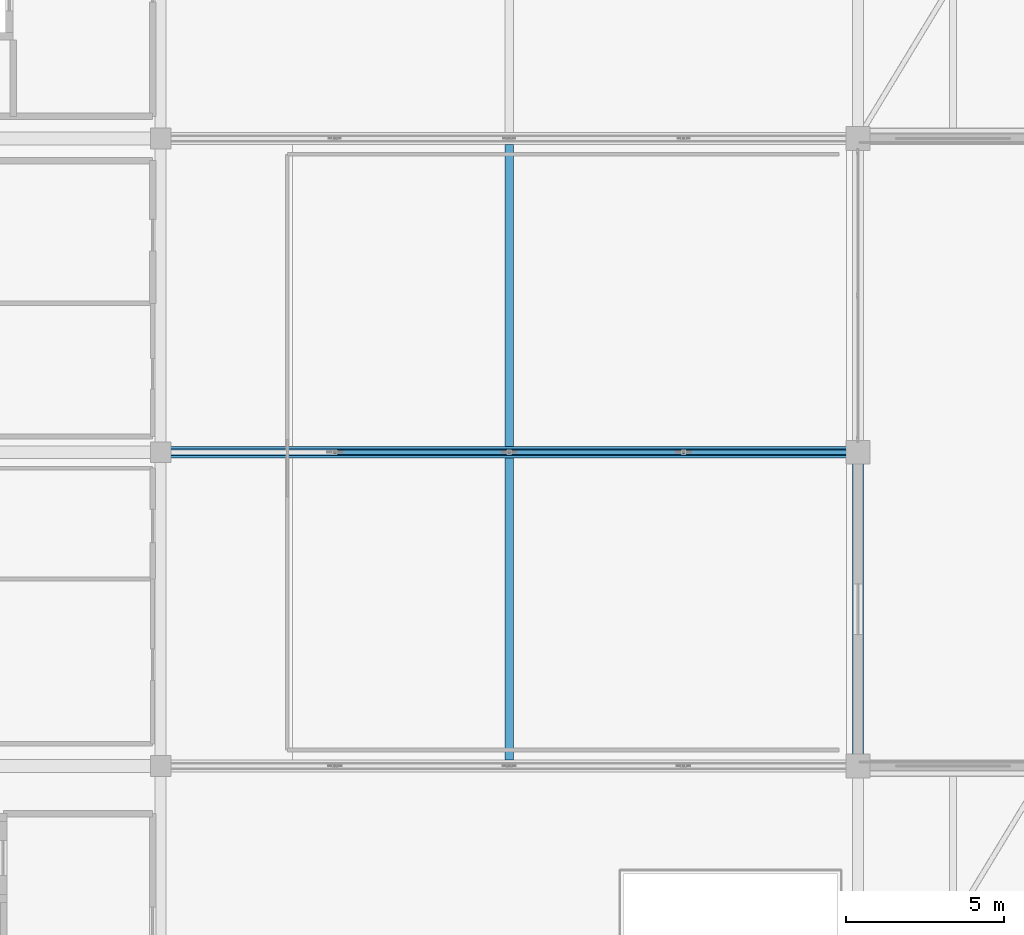
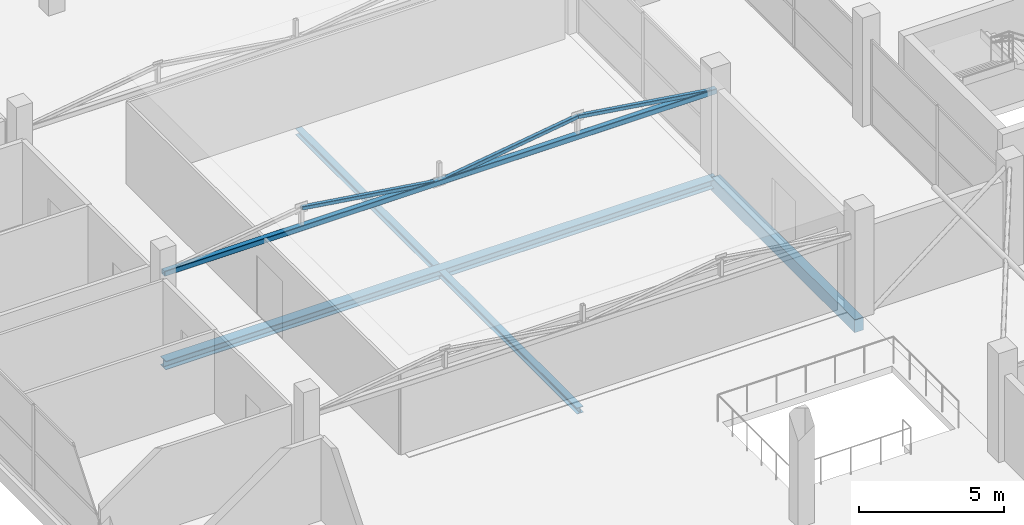
# One storey, part 23 of 69: 4 beams, 4 members.
"""IFC4 building model written with IfcOpenShell, lengths in metres."""

from ifc_helpers import new_model, si_unit, direction, frame, origin, origin_2d, place, context, subcontext, project, spatial, rectangle, hollow_rectangle, i_section, extrude, material, material_profile, profile_set, type_object, element, save


model = new_model("IFC4")

# Units and contexts
model_context = context("Model", 3, precision=1e-05, world=origin(), true_north=direction((0.0, 1.0)))
body_context = subcontext(model_context, "Body", "Model", "MODEL_VIEW")
ifc_project = project(units=[si_unit("LENGTHUNIT", "METRE"), si_unit("AREAUNIT", "SQUARE_METRE"), si_unit("VOLUMEUNIT", "CUBIC_METRE"), si_unit("PLANEANGLEUNIT", "RADIAN"), si_unit("MASSUNIT", "GRAM", prefix="KILO")], contexts=[model_context])

# Site, building, storey
site_placement = place(None, origin())
site = spatial("IfcSite", under=ifc_project, at=site_placement, CompositionType="ELEMENT")
building_placement = place(site_placement, origin())
building = spatial("IfcBuilding", under=site, at=building_placement, Name="Sillaruma Civic Art Gallery", CompositionType="ELEMENT")
storey_placement = place(building_placement, frame((0.0, 0.0, 42.330078125)))
storey = spatial("IfcBuildingStorey", under=building, at=storey_placement, Name="L08", CompositionType="ELEMENT", Elevation=42.330078125)

# Beams
ifc_material_1 = material(Name="Structural Steel ASTM A992 Gr.50", Category="steel")
ifc_material_profile_1 = material_profile(ifc_material_1, i_section(OverallWidth=0.256103515625, OverallDepth=0.260009765625, WebThickness=0.0107421875, FlangeThickness=0.017333984375, FilletRadius=0.012939453125, at=origin_2d()), Name="W250x89")
ifc_profile_set_1 = profile_set([ifc_material_profile_1], Name="Structural Steel ASTM A992 Gr.50")
beam_type_1 = type_object("IfcBeamType", Name="BM-JOIST-W250x89", PredefinedType="JOIST", material=ifc_profile_set_1)
for number, where, z_axis, x_axis, name in (
    (1, (81.0, 49.685546875, -0.41015625), (0.0, 1.0, 0.0), (-1.0, 0.0, 0.0), "Long-Span Gallery Joist JS-04 (L07:6-7)"),
    (2, (81.0, 59.58544921875, -0.41015625), (0.0, 1.0, 0.0), (-1.0, 0.0, 0.0), "Long-Span Gallery Joist JS-04 (L07:7-8)"),
):
    element("IfcBeam", number, at=place(storey_placement, frame(where, z_axis=z_axis, x_axis=x_axis)), inside=storey, type_object=beam_type_1, Name=name, PredefinedType="JOIST", context=body_context, shape_type="SweptSolid", body=[
        extrude(i_section(OverallWidth=0.256103515625, OverallDepth=0.260009765625, WebThickness=0.0107421875, FlangeThickness=0.017333984375, FilletRadius=0.012939453125, at=origin_2d()), origin(), (0.0, 0.0, 1.0), 9.529052734375),
    ])
ifc_material_2 = material(Name="Concrete H35 (35 MPa)", Category="concrete")
ifc_material_profile_2 = material_profile(ifc_material_2, rectangle(XDim=0.35009765625, YDim=0.550048828125, at=origin_2d()), Name="RCB350x550")
ifc_profile_set_2 = profile_set([ifc_material_profile_2], Name="Concrete H35 (35 MPa)")
beam_type_2 = type_object("IfcBeamType", Name="BM-SPANDREL-RCB350x550", PredefinedType="SPANDREL", material=ifc_profile_set_2)
beam_1_placement = place(storey_placement, frame((92.0, 49.5, -0.55517578125), z_axis=(0.0, 1.0, 0.0), x_axis=(-1.0, 0.0, 0.0)))
element("IfcBeam", 3, at=beam_1_placement, inside=storey, type_object=beam_type_2, Name="Beam BS-04 (L07:K:6-7)", PredefinedType="SPANDREL", context=body_context, shape_type="SweptSolid", body=[
    extrude(rectangle(XDim=0.35009765625, YDim=0.550048828125, at=origin_2d()), origin(), (0.0, 0.0, 1.0), 9.89990234375),
])
ifc_material_profile_3 = material_profile(ifc_material_1, i_section(OverallWidth=0.37109375, OverallDepth=0.364013671875, WebThickness=0.01318359375, FlangeThickness=0.021728515625, FilletRadius=0.014892578125, at=origin_2d()), Name="W360x162")
ifc_profile_set_3 = profile_set([ifc_material_profile_3], Name="Structural Steel ASTM A992 Gr.50")
beam_type_3 = type_object("IfcBeamType", Name="BM-TRTOP-W360x162", PredefinedType="BEAM", material=ifc_profile_set_3)
beam_2_placement = place(storey_placement, frame((70.0, 59.39990234375, -0.462158203125), z_axis=(1.0, 0.0, 0.0), x_axis=(0.0, 1.0, 0.0)))
element("IfcBeam", 4, at=beam_2_placement, inside=storey, type_object=beam_type_3, Name="Warren Truss Top Chord TR-L07-2", PredefinedType="BEAM", context=body_context, shape_type="SweptSolid", body=[
    extrude(i_section(OverallWidth=0.37109375, OverallDepth=0.364013671875, WebThickness=0.01318359375, FlangeThickness=0.021728515625, FilletRadius=0.014892578125, at=origin_2d()), origin(), (0.0, 0.0, 1.0), 22.0),
])

# Members
ifc_material_3 = material(Name="Structural Steel ASTM A500 Gr.C", Category="steel")
ifc_material_profile_4 = material_profile(ifc_material_3, hollow_rectangle(XDim=0.14990234375, YDim=0.14990234375, WallThickness=0.010009765625, InnerFilletRadius=0.010009765625, OuterFilletRadius=0.02001953125, at=origin_2d()), Name="HSS150x150x10")
ifc_profile_set_4 = profile_set([ifc_material_profile_4], Name="Structural Steel ASTM A500 Gr.C")
member_type_1 = type_object("IfcMemberType", Name="MEM-BRACE-HSS150x150x10", PredefinedType="BRACE", material=ifc_profile_set_4)
for number, where, z_axis, x_axis, name in (
    (5, (75.5, 59.39990234375, 4.157958984375), (0.989377720719, 0.0, -0.145367553959), (0.0, 1.0, 0.0), "Warren Truss Diagonal TR-L08-2-D2"),
    (6, (81.0, 59.39990234375, 3.349853515625), (0.989377720719, 0.0, 0.145367553959), (0.0, 1.0, 0.0), "Warren Truss Diagonal TR-L08-2-D3"),
    (7, (86.5, 59.39990234375, 4.157958984375), (0.989377720719, 0.0, -0.145367553959), (0.0, 1.0, 0.0), "Warren Truss Diagonal TR-L08-2-D4"),
):
    element("IfcMember", number, at=place(storey_placement, frame(where, z_axis=z_axis, x_axis=x_axis)), inside=storey, type_object=member_type_1, Name=name, PredefinedType="BRACE", context=body_context, shape_type="SweptSolid", body=[
        extrude(hollow_rectangle(XDim=0.14990234375, YDim=0.14990234375, WallThickness=0.010009765625, InnerFilletRadius=0.010009765625, OuterFilletRadius=0.02001953125, at=origin_2d()), origin(), (0.0, 0.0, 1.0), 5.55908203125),
    ])
ifc_material_profile_5 = material_profile(ifc_material_3, hollow_rectangle(XDim=0.219970703125, YDim=0.219970703125, WallThickness=0.012451171875, InnerFilletRadius=0.012451171875, OuterFilletRadius=0.02490234375, at=origin_2d()), Name="HSS220x220x12.5")
ifc_profile_set_5 = profile_set([ifc_material_profile_5], Name="Structural Steel ASTM A500 Gr.C")
member_type_2 = type_object("IfcMemberType", Name="MEM-CHORD-HSS220x220x12.5", PredefinedType="CHORD", material=ifc_profile_set_5)
member_placement = place(storey_placement, frame((70.0, 59.39990234375, 3.349853515625), z_axis=(1.0, 0.0, 0.0), x_axis=(0.0, 1.0, 0.0)))
element("IfcMember", 8, at=member_placement, inside=storey, type_object=member_type_2, Name="Warren Truss Bottom Chord TR-L08-2", PredefinedType="CHORD", context=body_context, shape_type="SweptSolid", body=[
    extrude(hollow_rectangle(XDim=0.219970703125, YDim=0.219970703125, WallThickness=0.012451171875, InnerFilletRadius=0.012451171875, OuterFilletRadius=0.02490234375, at=origin_2d()), origin(), (0.0, 0.0, 1.0), 22.0),
])

save(model, "model.ifc")
